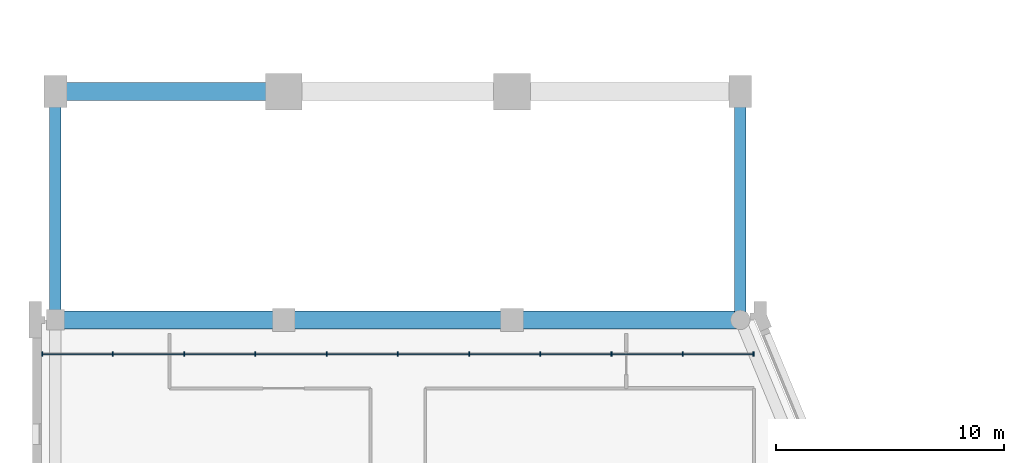
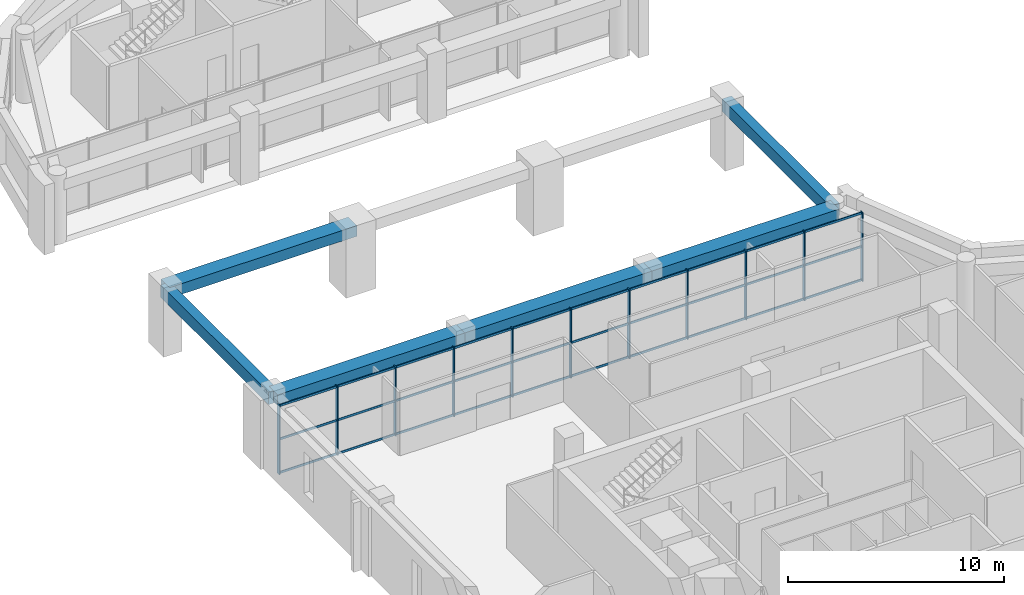
# One storey, part 2 of 11: 41 members, 6 beams, 1 element without a shape of its own.
"""IFC4 building model written with IfcOpenShell, lengths in metres."""

from ifc_helpers import new_model, si_unit, direction, frame, origin, origin_2d, place, context, subcontext, project, spatial, rectangle, extrude, material, layer, layer_set, material_profile, profile_set, type_object, element, aggregate, save


model = new_model("IFC4")

# Units and contexts
model_context = context("Model", 3, precision=1e-05, world=origin(), true_north=direction((0.0, 1.0)))
body_context = subcontext(model_context, "Body", "Model", "MODEL_VIEW")
ifc_project = project(units=[si_unit("LENGTHUNIT", "METRE"), si_unit("AREAUNIT", "SQUARE_METRE"), si_unit("VOLUMEUNIT", "CUBIC_METRE"), si_unit("PLANEANGLEUNIT", "RADIAN"), si_unit("MASSUNIT", "GRAM", prefix="KILO")], contexts=[model_context])

# Site, building, storey
site_placement = place(None, origin())
site = spatial("IfcSite", under=ifc_project, at=site_placement, CompositionType="ELEMENT")
building_placement = place(site_placement, origin())
building = spatial("IfcBuilding", under=site, at=building_placement, Name="Qaws Garden Tower", CompositionType="ELEMENT")
storey_placement = place(building_placement, frame((0.0, 0.0, 325.5)))
storey = spatial("IfcBuildingStorey", under=building, at=storey_placement, Name="L79", CompositionType="ELEMENT", Elevation=325.5)

# Curtain wall, members
ifc_material_1 = material(Name="Anodised aluminium curtain wall frame", Category="aluminium")
ifc_layer = layer(ifc_material_1, 0.159912109375)
ifc_layer_set = layer_set([ifc_layer], Name="Anodised aluminium curtain wall frame")
curtain_wall_type = type_object("IfcCurtainWallType", Name="CW5 portal screen curtain wall", PredefinedType="NOTDEFINED", material=ifc_layer_set)
curtain_wall_placement = place(storey_placement, origin())
curtain_wall = element("IfcCurtainWall", 1, at=curtain_wall_placement, inside=storey, type_object=curtain_wall_type, Name="CW5 Portal screen 0", PredefinedType="NOTDEFINED")
ifc_material_2 = material(Name="Anodised aluminium curtain wall frame", Category="aluminium")
ifc_material_profile_1 = material_profile(ifc_material_2, rectangle(XDim=0.199951171875, YDim=0.050048828125, at=origin_2d()), Name="AL 50x200")
ifc_profile_set_1 = profile_set([ifc_material_profile_1], Name="Anodised aluminium curtain wall frame")
member_type_1 = type_object("IfcMemberType", Name="CW5 mullion 50 x 200", PredefinedType="MULLION", material=ifc_profile_set_1)
member_1_placement = place(storey_placement, frame((-0.574951171875, 38.5, 0.0), z_axis=(0.0, 0.0, 1.0), x_axis=(0.0, 1.0, 0.0)))
member_1 = element("IfcMember", 2, at=member_1_placement, type_object=member_type_1, Name="CW5 mullion 1", PredefinedType="MULLION", context=body_context, shape_type="SweptSolid", body=[
    extrude(rectangle(XDim=0.199951171875, YDim=0.050048828125, at=origin_2d()), origin(), (0.0, 0.0, 1.0), 3.89990234375),
])
member_2_placement = place(storey_placement, frame((2.52001953125, 38.5, 0.0), z_axis=(0.0, 0.0, 1.0), x_axis=(0.0, 1.0, 0.0)))
member_2 = element("IfcMember", 3, at=member_2_placement, type_object=member_type_1, Name="CW5 mullion 2", PredefinedType="MULLION", context=body_context, shape_type="SweptSolid", body=[
    extrude(rectangle(XDim=0.199951171875, YDim=0.050048828125, at=origin_2d()), origin(), (0.0, 0.0, 1.0), 3.89990234375),
])
member_3_placement = place(storey_placement, frame((5.639892578125, 38.5, 0.0), z_axis=(0.0, 0.0, 1.0), x_axis=(0.0, 1.0, 0.0)))
member_3 = element("IfcMember", 4, at=member_3_placement, type_object=member_type_1, Name="CW5 mullion 3", PredefinedType="MULLION", context=body_context, shape_type="SweptSolid", body=[
    extrude(rectangle(XDim=0.199951171875, YDim=0.050048828125, at=origin_2d()), origin(), (0.0, 0.0, 1.0), 3.89990234375),
])
member_4_placement = place(storey_placement, frame((8.760009765625, 38.5, 0.0), z_axis=(0.0, 0.0, 1.0), x_axis=(0.0, 1.0, 0.0)))
member_4 = element("IfcMember", 5, at=member_4_placement, type_object=member_type_1, Name="CW5 mullion 4", PredefinedType="MULLION", context=body_context, shape_type="SweptSolid", body=[
    extrude(rectangle(XDim=0.199951171875, YDim=0.050048828125, at=origin_2d()), origin(), (0.0, 0.0, 1.0), 3.89990234375),
])
member_5_placement = place(storey_placement, frame((11.8798828125, 38.5, 0.0), z_axis=(0.0, 0.0, 1.0), x_axis=(0.0, 1.0, 0.0)))
member_5 = element("IfcMember", 6, at=member_5_placement, type_object=member_type_1, Name="CW5 mullion 5", PredefinedType="MULLION", context=body_context, shape_type="SweptSolid", body=[
    extrude(rectangle(XDim=0.199951171875, YDim=0.050048828125, at=origin_2d()), origin(), (0.0, 0.0, 1.0), 3.89990234375),
])
member_6_placement = place(storey_placement, frame((15.0, 38.5, 0.0), z_axis=(0.0, 0.0, 1.0), x_axis=(0.0, 1.0, 0.0)))
member_6 = element("IfcMember", 7, at=member_6_placement, type_object=member_type_1, Name="CW5 mullion 6", PredefinedType="MULLION", context=body_context, shape_type="SweptSolid", body=[
    extrude(rectangle(XDim=0.199951171875, YDim=0.050048828125, at=origin_2d()), origin(), (0.0, 0.0, 1.0), 3.89990234375),
])
member_7_placement = place(storey_placement, frame((18.1201171875, 38.5, 0.0), z_axis=(0.0, 0.0, 1.0), x_axis=(0.0, 1.0, 0.0)))
member_7 = element("IfcMember", 8, at=member_7_placement, type_object=member_type_1, Name="CW5 mullion 7", PredefinedType="MULLION", context=body_context, shape_type="SweptSolid", body=[
    extrude(rectangle(XDim=0.199951171875, YDim=0.050048828125, at=origin_2d()), origin(), (0.0, 0.0, 1.0), 3.89990234375),
])
member_8_placement = place(storey_placement, frame((21.239990234375, 38.5, 0.0), z_axis=(0.0, 0.0, 1.0), x_axis=(0.0, 1.0, 0.0)))
member_8 = element("IfcMember", 9, at=member_8_placement, type_object=member_type_1, Name="CW5 mullion 8", PredefinedType="MULLION", context=body_context, shape_type="SweptSolid", body=[
    extrude(rectangle(XDim=0.199951171875, YDim=0.050048828125, at=origin_2d()), origin(), (0.0, 0.0, 1.0), 3.89990234375),
])
member_9_placement = place(storey_placement, frame((24.360107421875, 38.5, 0.0), z_axis=(0.0, 0.0, 1.0), x_axis=(0.0, 1.0, 0.0)))
member_9 = element("IfcMember", 10, at=member_9_placement, type_object=member_type_1, Name="CW5 mullion 9", PredefinedType="MULLION", context=body_context, shape_type="SweptSolid", body=[
    extrude(rectangle(XDim=0.199951171875, YDim=0.050048828125, at=origin_2d()), origin(), (0.0, 0.0, 1.0), 3.89990234375),
])
member_10_placement = place(storey_placement, frame((27.47998046875, 38.5, 0.0), z_axis=(0.0, 0.0, 1.0), x_axis=(0.0, 1.0, 0.0)))
member_10 = element("IfcMember", 11, at=member_10_placement, type_object=member_type_1, Name="CW5 mullion 10", PredefinedType="MULLION", context=body_context, shape_type="SweptSolid", body=[
    extrude(rectangle(XDim=0.199951171875, YDim=0.050048828125, at=origin_2d()), origin(), (0.0, 0.0, 1.0), 3.89990234375),
])
member_11_placement = place(storey_placement, frame((30.574951171875, 38.5, 0.0), z_axis=(0.0, 0.0, 1.0), x_axis=(0.0, 1.0, 0.0)))
member_11 = element("IfcMember", 12, at=member_11_placement, type_object=member_type_1, Name="CW5 mullion 11", PredefinedType="MULLION", context=body_context, shape_type="SweptSolid", body=[
    extrude(rectangle(XDim=0.199951171875, YDim=0.050048828125, at=origin_2d()), origin(), (0.0, 0.0, 1.0), 3.89990234375),
])
ifc_material_3 = material(Name="Anodised aluminium curtain wall frame", Category="aluminium")
ifc_material_profile_2 = material_profile(ifc_material_3, rectangle(XDim=0.050048828125, YDim=0.1201171875, at=origin_2d()), Name="AL 50x120")
ifc_profile_set_2 = profile_set([ifc_material_profile_2], Name="Anodised aluminium curtain wall frame")
member_type_2 = type_object("IfcMemberType", Name="CW5 transom 120 x 50", PredefinedType="USERDEFINED", material=ifc_profile_set_2)
member_12_placement = place(storey_placement, frame((-0.550048828125, 38.5, 0.06005859375), z_axis=(1.0, 0.0, 0.0), x_axis=(0.0, 1.0, 0.0)))
member_12 = element("IfcMember", 13, at=member_12_placement, type_object=member_type_2, Name="CW5 transom 1.1", ObjectType="TRANSOM", PredefinedType="USERDEFINED", context=body_context, shape_type="SweptSolid", body=[
    extrude(rectangle(XDim=0.050048828125, YDim=0.1201171875, at=origin_2d()), origin(), (0.0, 0.0, 1.0), 3.045166015625),
])
member_13_placement = place(storey_placement, frame((-0.550048828125, 38.5, 1.949951171875), z_axis=(1.0, 0.0, 0.0), x_axis=(0.0, 1.0, 0.0)))
member_13 = element("IfcMember", 14, at=member_13_placement, type_object=member_type_2, Name="CW5 transom 1.2", ObjectType="TRANSOM", PredefinedType="USERDEFINED", context=body_context, shape_type="SweptSolid", body=[
    extrude(rectangle(XDim=0.050048828125, YDim=0.1201171875, at=origin_2d()), origin(), (0.0, 0.0, 1.0), 3.045166015625),
])
member_14_placement = place(storey_placement, frame((-0.550048828125, 38.5, 3.840087890625), z_axis=(1.0, 0.0, 0.0), x_axis=(0.0, 1.0, 0.0)))
member_14 = element("IfcMember", 15, at=member_14_placement, type_object=member_type_2, Name="CW5 transom 1.3", ObjectType="TRANSOM", PredefinedType="USERDEFINED", context=body_context, shape_type="SweptSolid", body=[
    extrude(rectangle(XDim=0.050048828125, YDim=0.1201171875, at=origin_2d()), origin(), (0.0, 0.0, 1.0), 3.045166015625),
])
member_15_placement = place(storey_placement, frame((2.544921875, 38.5, 0.06005859375), z_axis=(1.0, 0.0, 0.0), x_axis=(0.0, 1.0, 0.0)))
member_15 = element("IfcMember", 16, at=member_15_placement, type_object=member_type_2, Name="CW5 transom 2.1", ObjectType="TRANSOM", PredefinedType="USERDEFINED", context=body_context, shape_type="SweptSolid", body=[
    extrude(rectangle(XDim=0.050048828125, YDim=0.1201171875, at=origin_2d()), origin(), (0.0, 0.0, 1.0), 3.070068359375),
])
member_16_placement = place(storey_placement, frame((2.544921875, 38.5, 1.949951171875), z_axis=(1.0, 0.0, 0.0), x_axis=(0.0, 1.0, 0.0)))
member_16 = element("IfcMember", 17, at=member_16_placement, type_object=member_type_2, Name="CW5 transom 2.2", ObjectType="TRANSOM", PredefinedType="USERDEFINED", context=body_context, shape_type="SweptSolid", body=[
    extrude(rectangle(XDim=0.050048828125, YDim=0.1201171875, at=origin_2d()), origin(), (0.0, 0.0, 1.0), 3.070068359375),
])
member_17_placement = place(storey_placement, frame((2.544921875, 38.5, 3.840087890625), z_axis=(1.0, 0.0, 0.0), x_axis=(0.0, 1.0, 0.0)))
member_17 = element("IfcMember", 18, at=member_17_placement, type_object=member_type_2, Name="CW5 transom 2.3", ObjectType="TRANSOM", PredefinedType="USERDEFINED", context=body_context, shape_type="SweptSolid", body=[
    extrude(rectangle(XDim=0.050048828125, YDim=0.1201171875, at=origin_2d()), origin(), (0.0, 0.0, 1.0), 3.070068359375),
])
member_18_placement = place(storey_placement, frame((5.6650390625, 38.5, 0.06005859375), z_axis=(1.0, 0.0, 0.0), x_axis=(0.0, 1.0, 0.0)))
member_18 = element("IfcMember", 19, at=member_18_placement, type_object=member_type_2, Name="CW5 transom 3.1", ObjectType="TRANSOM", PredefinedType="USERDEFINED", context=body_context, shape_type="SweptSolid", body=[
    extrude(rectangle(XDim=0.050048828125, YDim=0.1201171875, at=origin_2d()), origin(), (0.0, 0.0, 1.0), 3.070068359375),
])
member_19_placement = place(storey_placement, frame((5.6650390625, 38.5, 1.949951171875), z_axis=(1.0, 0.0, 0.0), x_axis=(0.0, 1.0, 0.0)))
member_19 = element("IfcMember", 20, at=member_19_placement, type_object=member_type_2, Name="CW5 transom 3.2", ObjectType="TRANSOM", PredefinedType="USERDEFINED", context=body_context, shape_type="SweptSolid", body=[
    extrude(rectangle(XDim=0.050048828125, YDim=0.1201171875, at=origin_2d()), origin(), (0.0, 0.0, 1.0), 3.070068359375),
])
member_20_placement = place(storey_placement, frame((5.6650390625, 38.5, 3.840087890625), z_axis=(1.0, 0.0, 0.0), x_axis=(0.0, 1.0, 0.0)))
member_20 = element("IfcMember", 21, at=member_20_placement, type_object=member_type_2, Name="CW5 transom 3.3", ObjectType="TRANSOM", PredefinedType="USERDEFINED", context=body_context, shape_type="SweptSolid", body=[
    extrude(rectangle(XDim=0.050048828125, YDim=0.1201171875, at=origin_2d()), origin(), (0.0, 0.0, 1.0), 3.070068359375),
])
member_21_placement = place(storey_placement, frame((8.784912109375, 38.5, 0.06005859375), z_axis=(1.0, 0.0, 0.0), x_axis=(0.0, 1.0, 0.0)))
member_21 = element("IfcMember", 22, at=member_21_placement, type_object=member_type_2, Name="CW5 transom 4.1", ObjectType="TRANSOM", PredefinedType="USERDEFINED", context=body_context, shape_type="SweptSolid", body=[
    extrude(rectangle(XDim=0.050048828125, YDim=0.1201171875, at=origin_2d()), origin(), (0.0, 0.0, 1.0), 3.070068359375),
])
member_22_placement = place(storey_placement, frame((8.784912109375, 38.5, 1.949951171875), z_axis=(1.0, 0.0, 0.0), x_axis=(0.0, 1.0, 0.0)))
member_22 = element("IfcMember", 23, at=member_22_placement, type_object=member_type_2, Name="CW5 transom 4.2", ObjectType="TRANSOM", PredefinedType="USERDEFINED", context=body_context, shape_type="SweptSolid", body=[
    extrude(rectangle(XDim=0.050048828125, YDim=0.1201171875, at=origin_2d()), origin(), (0.0, 0.0, 1.0), 3.070068359375),
])
member_23_placement = place(storey_placement, frame((8.784912109375, 38.5, 3.840087890625), z_axis=(1.0, 0.0, 0.0), x_axis=(0.0, 1.0, 0.0)))
member_23 = element("IfcMember", 24, at=member_23_placement, type_object=member_type_2, Name="CW5 transom 4.3", ObjectType="TRANSOM", PredefinedType="USERDEFINED", context=body_context, shape_type="SweptSolid", body=[
    extrude(rectangle(XDim=0.050048828125, YDim=0.1201171875, at=origin_2d()), origin(), (0.0, 0.0, 1.0), 3.070068359375),
])
member_24_placement = place(storey_placement, frame((11.905029296875, 38.5, 0.06005859375), z_axis=(1.0, 0.0, 0.0), x_axis=(0.0, 1.0, 0.0)))
member_24 = element("IfcMember", 25, at=member_24_placement, type_object=member_type_2, Name="CW5 transom 5.1", ObjectType="TRANSOM", PredefinedType="USERDEFINED", context=body_context, shape_type="SweptSolid", body=[
    extrude(rectangle(XDim=0.050048828125, YDim=0.1201171875, at=origin_2d()), origin(), (0.0, 0.0, 1.0), 3.070068359375),
])
member_25_placement = place(storey_placement, frame((11.905029296875, 38.5, 1.949951171875), z_axis=(1.0, 0.0, 0.0), x_axis=(0.0, 1.0, 0.0)))
member_25 = element("IfcMember", 26, at=member_25_placement, type_object=member_type_2, Name="CW5 transom 5.2", ObjectType="TRANSOM", PredefinedType="USERDEFINED", context=body_context, shape_type="SweptSolid", body=[
    extrude(rectangle(XDim=0.050048828125, YDim=0.1201171875, at=origin_2d()), origin(), (0.0, 0.0, 1.0), 3.070068359375),
])
member_26_placement = place(storey_placement, frame((11.905029296875, 38.5, 3.840087890625), z_axis=(1.0, 0.0, 0.0), x_axis=(0.0, 1.0, 0.0)))
member_26 = element("IfcMember", 27, at=member_26_placement, type_object=member_type_2, Name="CW5 transom 5.3", ObjectType="TRANSOM", PredefinedType="USERDEFINED", context=body_context, shape_type="SweptSolid", body=[
    extrude(rectangle(XDim=0.050048828125, YDim=0.1201171875, at=origin_2d()), origin(), (0.0, 0.0, 1.0), 3.070068359375),
])
member_27_placement = place(storey_placement, frame((15.02490234375, 38.5, 0.06005859375), z_axis=(1.0, 0.0, 0.0), x_axis=(0.0, 1.0, 0.0)))
member_27 = element("IfcMember", 28, at=member_27_placement, type_object=member_type_2, Name="CW5 transom 6.1", ObjectType="TRANSOM", PredefinedType="USERDEFINED", context=body_context, shape_type="SweptSolid", body=[
    extrude(rectangle(XDim=0.050048828125, YDim=0.1201171875, at=origin_2d()), origin(), (0.0, 0.0, 1.0), 3.070068359375),
])
member_28_placement = place(storey_placement, frame((15.02490234375, 38.5, 1.949951171875), z_axis=(1.0, 0.0, 0.0), x_axis=(0.0, 1.0, 0.0)))
member_28 = element("IfcMember", 29, at=member_28_placement, type_object=member_type_2, Name="CW5 transom 6.2", ObjectType="TRANSOM", PredefinedType="USERDEFINED", context=body_context, shape_type="SweptSolid", body=[
    extrude(rectangle(XDim=0.050048828125, YDim=0.1201171875, at=origin_2d()), origin(), (0.0, 0.0, 1.0), 3.070068359375),
])
member_29_placement = place(storey_placement, frame((15.02490234375, 38.5, 3.840087890625), z_axis=(1.0, 0.0, 0.0), x_axis=(0.0, 1.0, 0.0)))
member_29 = element("IfcMember", 30, at=member_29_placement, type_object=member_type_2, Name="CW5 transom 6.3", ObjectType="TRANSOM", PredefinedType="USERDEFINED", context=body_context, shape_type="SweptSolid", body=[
    extrude(rectangle(XDim=0.050048828125, YDim=0.1201171875, at=origin_2d()), origin(), (0.0, 0.0, 1.0), 3.070068359375),
])
member_30_placement = place(storey_placement, frame((18.14501953125, 38.5, 0.06005859375), z_axis=(1.0, 0.0, 0.0), x_axis=(0.0, 1.0, 0.0)))
member_30 = element("IfcMember", 31, at=member_30_placement, type_object=member_type_2, Name="CW5 transom 7.1", ObjectType="TRANSOM", PredefinedType="USERDEFINED", context=body_context, shape_type="SweptSolid", body=[
    extrude(rectangle(XDim=0.050048828125, YDim=0.1201171875, at=origin_2d()), origin(), (0.0, 0.0, 1.0), 3.070068359375),
])
member_31_placement = place(storey_placement, frame((18.14501953125, 38.5, 1.949951171875), z_axis=(1.0, 0.0, 0.0), x_axis=(0.0, 1.0, 0.0)))
member_31 = element("IfcMember", 32, at=member_31_placement, type_object=member_type_2, Name="CW5 transom 7.2", ObjectType="TRANSOM", PredefinedType="USERDEFINED", context=body_context, shape_type="SweptSolid", body=[
    extrude(rectangle(XDim=0.050048828125, YDim=0.1201171875, at=origin_2d()), origin(), (0.0, 0.0, 1.0), 3.070068359375),
])
member_32_placement = place(storey_placement, frame((18.14501953125, 38.5, 3.840087890625), z_axis=(1.0, 0.0, 0.0), x_axis=(0.0, 1.0, 0.0)))
member_32 = element("IfcMember", 33, at=member_32_placement, type_object=member_type_2, Name="CW5 transom 7.3", ObjectType="TRANSOM", PredefinedType="USERDEFINED", context=body_context, shape_type="SweptSolid", body=[
    extrude(rectangle(XDim=0.050048828125, YDim=0.1201171875, at=origin_2d()), origin(), (0.0, 0.0, 1.0), 3.070068359375),
])
member_33_placement = place(storey_placement, frame((21.264892578125, 38.5, 0.06005859375), z_axis=(1.0, 0.0, 0.0), x_axis=(0.0, 1.0, 0.0)))
member_33 = element("IfcMember", 34, at=member_33_placement, type_object=member_type_2, Name="CW5 transom 8.1", ObjectType="TRANSOM", PredefinedType="USERDEFINED", context=body_context, shape_type="SweptSolid", body=[
    extrude(rectangle(XDim=0.050048828125, YDim=0.1201171875, at=origin_2d()), origin(), (0.0, 0.0, 1.0), 3.070068359375),
])
member_34_placement = place(storey_placement, frame((21.264892578125, 38.5, 1.949951171875), z_axis=(1.0, 0.0, 0.0), x_axis=(0.0, 1.0, 0.0)))
member_34 = element("IfcMember", 35, at=member_34_placement, type_object=member_type_2, Name="CW5 transom 8.2", ObjectType="TRANSOM", PredefinedType="USERDEFINED", context=body_context, shape_type="SweptSolid", body=[
    extrude(rectangle(XDim=0.050048828125, YDim=0.1201171875, at=origin_2d()), origin(), (0.0, 0.0, 1.0), 3.070068359375),
])
member_35_placement = place(storey_placement, frame((21.264892578125, 38.5, 3.840087890625), z_axis=(1.0, 0.0, 0.0), x_axis=(0.0, 1.0, 0.0)))
member_35 = element("IfcMember", 36, at=member_35_placement, type_object=member_type_2, Name="CW5 transom 8.3", ObjectType="TRANSOM", PredefinedType="USERDEFINED", context=body_context, shape_type="SweptSolid", body=[
    extrude(rectangle(XDim=0.050048828125, YDim=0.1201171875, at=origin_2d()), origin(), (0.0, 0.0, 1.0), 3.070068359375),
])
member_36_placement = place(storey_placement, frame((24.385009765625, 38.5, 0.06005859375), z_axis=(1.0, 0.0, 0.0), x_axis=(0.0, 1.0, 0.0)))
member_36 = element("IfcMember", 37, at=member_36_placement, type_object=member_type_2, Name="CW5 transom 9.1", ObjectType="TRANSOM", PredefinedType="USERDEFINED", context=body_context, shape_type="SweptSolid", body=[
    extrude(rectangle(XDim=0.050048828125, YDim=0.1201171875, at=origin_2d()), origin(), (0.0, 0.0, 1.0), 3.070068359375),
])
member_37_placement = place(storey_placement, frame((24.385009765625, 38.5, 1.949951171875), z_axis=(1.0, 0.0, 0.0), x_axis=(0.0, 1.0, 0.0)))
member_37 = element("IfcMember", 38, at=member_37_placement, type_object=member_type_2, Name="CW5 transom 9.2", ObjectType="TRANSOM", PredefinedType="USERDEFINED", context=body_context, shape_type="SweptSolid", body=[
    extrude(rectangle(XDim=0.050048828125, YDim=0.1201171875, at=origin_2d()), origin(), (0.0, 0.0, 1.0), 3.070068359375),
])
member_38_placement = place(storey_placement, frame((24.385009765625, 38.5, 3.840087890625), z_axis=(1.0, 0.0, 0.0), x_axis=(0.0, 1.0, 0.0)))
member_38 = element("IfcMember", 39, at=member_38_placement, type_object=member_type_2, Name="CW5 transom 9.3", ObjectType="TRANSOM", PredefinedType="USERDEFINED", context=body_context, shape_type="SweptSolid", body=[
    extrude(rectangle(XDim=0.050048828125, YDim=0.1201171875, at=origin_2d()), origin(), (0.0, 0.0, 1.0), 3.070068359375),
])
member_39_placement = place(storey_placement, frame((27.5048828125, 38.5, 0.06005859375), z_axis=(1.0, 0.0, 0.0), x_axis=(0.0, 1.0, 0.0)))
member_39 = element("IfcMember", 40, at=member_39_placement, type_object=member_type_2, Name="CW5 transom 10.1", ObjectType="TRANSOM", PredefinedType="USERDEFINED", context=body_context, shape_type="SweptSolid", body=[
    extrude(rectangle(XDim=0.050048828125, YDim=0.1201171875, at=origin_2d()), origin(), (0.0, 0.0, 1.0), 3.045166015625),
])
member_40_placement = place(storey_placement, frame((27.5048828125, 38.5, 1.949951171875), z_axis=(1.0, 0.0, 0.0), x_axis=(0.0, 1.0, 0.0)))
member_40 = element("IfcMember", 41, at=member_40_placement, type_object=member_type_2, Name="CW5 transom 10.2", ObjectType="TRANSOM", PredefinedType="USERDEFINED", context=body_context, shape_type="SweptSolid", body=[
    extrude(rectangle(XDim=0.050048828125, YDim=0.1201171875, at=origin_2d()), origin(), (0.0, 0.0, 1.0), 3.045166015625),
])
member_41_placement = place(storey_placement, frame((27.5048828125, 38.5, 3.840087890625), z_axis=(1.0, 0.0, 0.0), x_axis=(0.0, 1.0, 0.0)))
member_41 = element("IfcMember", 42, at=member_41_placement, type_object=member_type_2, Name="CW5 transom 10.3", ObjectType="TRANSOM", PredefinedType="USERDEFINED", context=body_context, shape_type="SweptSolid", body=[
    extrude(rectangle(XDim=0.050048828125, YDim=0.1201171875, at=origin_2d()), origin(), (0.0, 0.0, 1.0), 3.045166015625),
])
aggregate(curtain_wall, [member_1, member_2, member_3, member_4, member_5, member_6, member_7, member_8, member_9, member_10, member_11, member_12, member_13, member_14, member_15, member_16, member_17, member_18, member_19, member_20, member_21, member_22, member_23, member_24, member_25, member_26, member_27, member_28, member_29, member_30, member_31, member_32, member_33, member_34, member_35, member_36, member_37, member_38, member_39, member_40, member_41])

# Beams
ifc_material_4 = material(Name="Concrete C45", Category="concrete")
ifc_material_profile_3 = material_profile(ifc_material_4, rectangle(XDim=0.800048828125, YDim=0.60009765625, at=origin_2d()), Name="RC 800x600")
ifc_profile_set_3 = profile_set([ifc_material_profile_3], Name="Concrete C45")
beam_type_1 = type_object("IfcBeamType", Name="Portal edge beam RC 800x600 C45", PredefinedType="BEAM", material=ifc_profile_set_3)
for number, where, z_axis, x_axis, name in (
    (43, (0.0, 40.0, 3.280029296875), (1.0, 0.0, 0.0), (0.0, 1.0, 0.0), "Portal edge beam L79-1"),
    (44, (10.0, 40.0, 3.280029296875), (1.0, 0.0, 0.0), (0.0, 1.0, 0.0), "Portal edge beam L79-2"),
    (45, (20.0, 40.0, 3.280029296875), (1.0, 0.0, 0.0), (0.0, 1.0, 0.0), "Portal edge beam L79-3"),
    (46, (0.0, 50.0, 3.280029296875), (1.0, 0.0, 0.0), (0.0, 1.0, 0.0), "Portal tie beam L79-4"),
):
    element("IfcBeam", number, at=place(storey_placement, frame(where, z_axis=z_axis, x_axis=x_axis)), inside=storey, type_object=beam_type_1, Name=name, PredefinedType="BEAM", context=body_context, shape_type="SweptSolid", body=[
        extrude(rectangle(XDim=0.800048828125, YDim=0.60009765625, at=origin_2d()), origin(), (0.0, 0.0, 1.0), 10.0),
    ])
ifc_material_5 = material(Name="Concrete C45", Category="concrete")
ifc_material_profile_4 = material_profile(ifc_material_5, rectangle(XDim=0.5, YDim=0.699951171875, at=origin_2d()), Name="RC 500x700")
ifc_profile_set_4 = profile_set([ifc_material_profile_4], Name="Concrete C45")
beam_type_2 = type_object("IfcBeamType", Name="Spandrel beam RC 500x700 C45", PredefinedType="SPANDREL", material=ifc_profile_set_4)
for number, where, z_axis, x_axis, name in (
    (47, (30.0, 40.0, 3.22998046875), (0.0, 1.0, 0.0), (-1.0, 0.0, 0.0), "Spandrel beam L79-008"),
    (48, (0.0, 50.0, 3.22998046875), (0.0, -1.0, 0.0), (1.0, 0.0, 0.0), "Spandrel beam L79-013"),
):
    element("IfcBeam", number, at=place(storey_placement, frame(where, z_axis=z_axis, x_axis=x_axis)), inside=storey, type_object=beam_type_2, Name=name, PredefinedType="SPANDREL", context=body_context, shape_type="SweptSolid", body=[
        extrude(rectangle(XDim=0.5, YDim=0.699951171875, at=origin_2d()), origin(), (0.0, 0.0, 1.0), 10.0),
    ])

save(model, "model.ifc")
